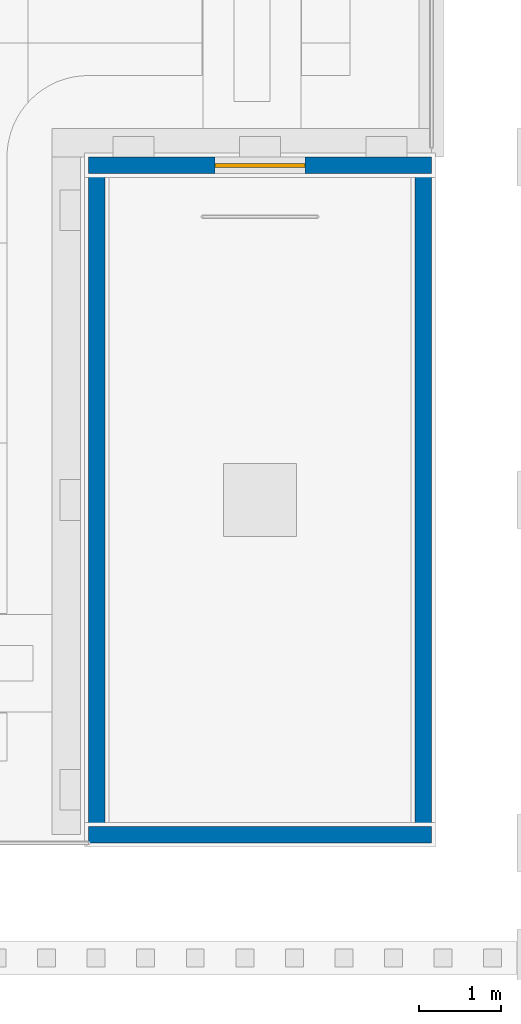
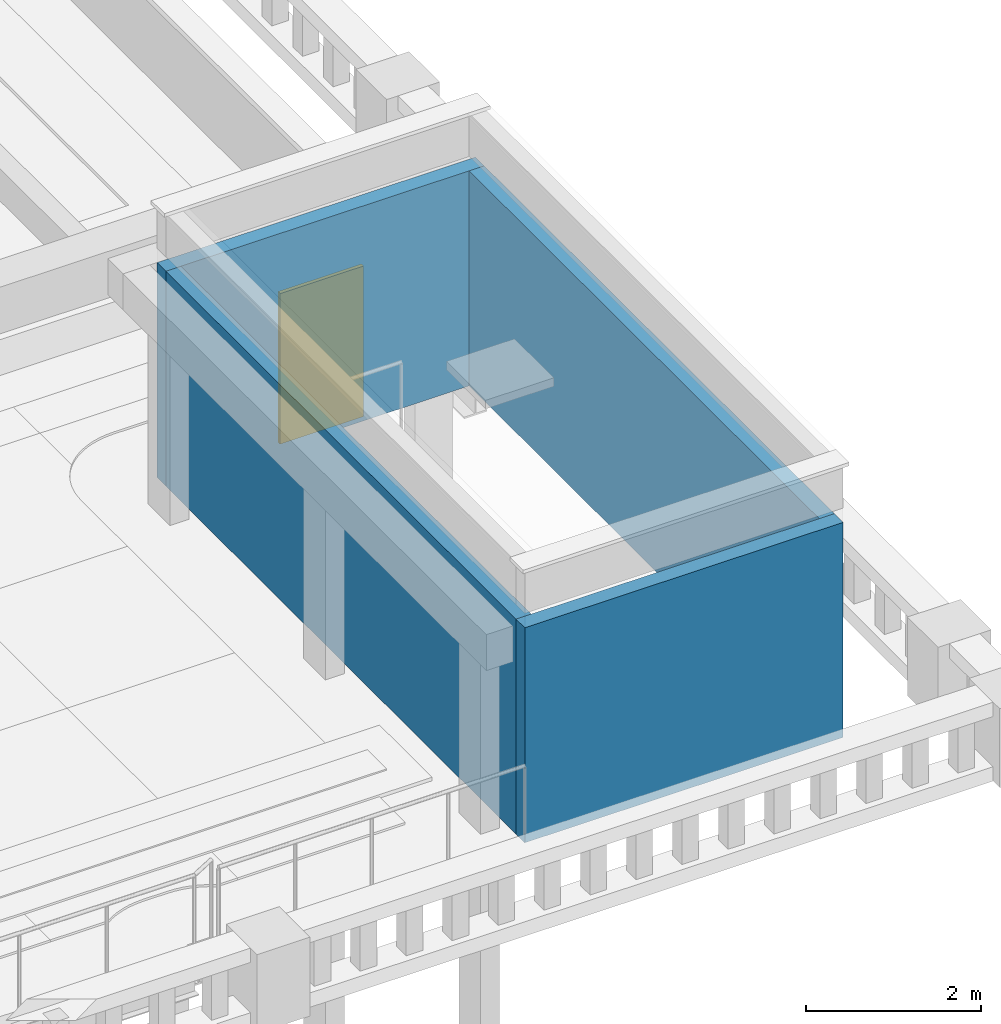
# One storey, part 57 of 76: 4 walls, 1 door, 1 opening.
"""IFC4 building model written with IfcOpenShell, lengths in metres."""

from ifc_helpers import new_model, si_unit, direction, frame, frame_2d, origin, place, context, subcontext, project, spatial, rectangle, extrude, material, layer, layer_set, type_object, element, fill, save


model = new_model("IFC4")

# Units and contexts
model_context = context("Model", 3, precision=1e-05, world=origin(), true_north=direction((0.0, 1.0)))
body_context = subcontext(model_context, "Body", "Model", "MODEL_VIEW")
ifc_project = project(units=[si_unit("LENGTHUNIT", "METRE"), si_unit("AREAUNIT", "SQUARE_METRE"), si_unit("VOLUMEUNIT", "CUBIC_METRE"), si_unit("PLANEANGLEUNIT", "RADIAN"), si_unit("MASSUNIT", "GRAM", prefix="KILO")], contexts=[model_context])

# Site, building, storey
site_placement = place(None, origin())
site = spatial("IfcSite", under=ifc_project, at=site_placement, CompositionType="ELEMENT")
building_placement = place(site_placement, origin())
building = spatial("IfcBuilding", under=site, at=building_placement, Name="Sava Quay Ferry Terminal", CompositionType="ELEMENT")
storey_placement = place(building_placement, frame((0.0, 0.0, 6.0)))
storey = spatial("IfcBuildingStorey", under=building, at=storey_placement, Name="L01", CompositionType="ELEMENT", Elevation=6.0)

# Wall
ifc_material_1 = material(Name="Concrete C35/45", Category="concrete")
ifc_layer = layer(ifc_material_1, 0.199951171875)
ifc_layer_set = layer_set([ifc_layer], Name="Concrete C35/45")
wall_type = type_object("IfcWallType", Name="RC core wall 200", PredefinedType="SHEAR", material=ifc_layer_set)
wall_1_placement = place(storey_placement, frame((163.800048828125, 25.300048828125, 0.0), z_axis=(0.0, 0.0, 1.0), x_axis=(1.0, 0.0, 0.0)))
element("IfcWall", 1, at=wall_1_placement, inside=storey, type_object=wall_type, Name="Core wall ST-V1 S L01", PredefinedType="SHEAR", context=body_context, shape_type="SweptSolid", body=[
    extrude(rectangle(XDim=4.199951171875, YDim=0.199951171875, at=frame_2d((2.10009765625, 0.0))), origin(), (0.0, 0.0, 1.0), 3.0),
])

# Wall, opening, door
wall_2_placement = place(storey_placement, frame((163.800048828125, 33.5, 0.0), z_axis=(0.0, 0.0, 1.0), x_axis=(1.0, 0.0, 0.0)))
wall_2 = element("IfcWall", 2, at=wall_2_placement, inside=storey, type_object=wall_type, Name="Core wall ST-V1 N L01", PredefinedType="SHEAR", context=body_context, shape_type="SweptSolid", body=[
    extrude(rectangle(XDim=4.199951171875, YDim=0.199951171875, at=frame_2d((2.10009765625, 0.0))), origin(), (0.0, 0.0, 1.0), 3.0),
])
opening_placement = place(wall_2_placement, frame((1.550048828125, 0.0, 0.0)))
opening = element("IfcOpeningElement", 3, at=opening_placement, cuts=wall_2, Name="Opening DH0101", PredefinedType="OPENING", context=body_context, shape_type="SweptSolid", body=[
    extrude(rectangle(XDim=1.10009765625, YDim=2.10009765625, at=frame_2d((0.550048828125, 1.050048828125))), frame((0.0, 0.10009765625, 0.0), z_axis=(0.0, -1.0, 0.0), x_axis=(1.0, 0.0, 0.0)), (0.0, 0.0, 1.0), 0.199951171875),
])
ifc_material_2 = material(Name="Steel fire door set", Category="steel")
door_type = type_object("IfcDoorType", Name="Stair fire door 1100 x 2100", OperationType="NOTDEFINED", PredefinedType="DOOR", material=ifc_material_2)
door_placement = place(opening_placement, origin())
door = element("IfcDoor", 4, at=door_placement, inside=storey, type_object=door_type, Name="Door DH0101", OperationType="SINGLE_SWING_RIGHT", OverallHeight=2.10009765625, OverallWidth=1.10009765625, PredefinedType="DOOR", context=body_context, shape_type="SweptSolid", body=[
    extrude(rectangle(XDim=1.10009765625, YDim=2.10009765625, at=frame_2d((0.550048828125, 1.050048828125))), frame((0.0, 0.02490234375, 0.0), z_axis=(0.0, -1.0, 0.0), x_axis=(1.0, 0.0, 0.0)), (0.0, 0.0, 1.0), 0.050048828125),
])
fill(opening, door)

# Walls
for number, where, z_axis, x_axis, name in (
    (5, (163.89990234375, 25.39990234375, 0.0), (0.0, 0.0, 1.0), (0.0, 1.0, 0.0), "Core wall ST-V1 W L01"),
    (6, (167.89990234375, 25.39990234375, 0.0), (0.0, 0.0, 1.0), (0.0, 1.0, 0.0), "Core wall ST-V1 E L01"),
):
    element("IfcWall", number, at=place(storey_placement, frame(where, z_axis=z_axis, x_axis=x_axis)), inside=storey, type_object=wall_type, Name=name, PredefinedType="SHEAR", context=body_context, shape_type="SweptSolid", body=[
        extrude(rectangle(XDim=8.0, YDim=0.199951171875, at=frame_2d((4.0, 0.0))), origin(), (0.0, 0.0, 1.0), 3.0),
    ])

save(model, "model.ifc")
